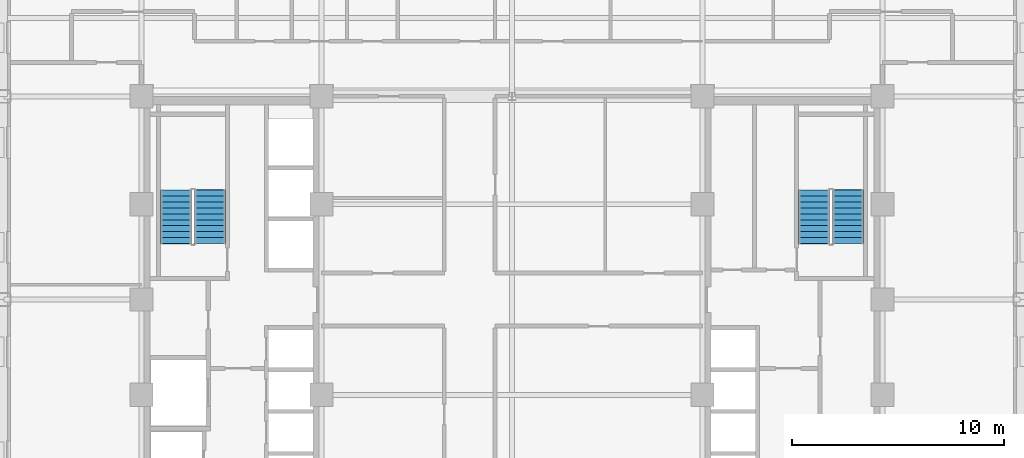
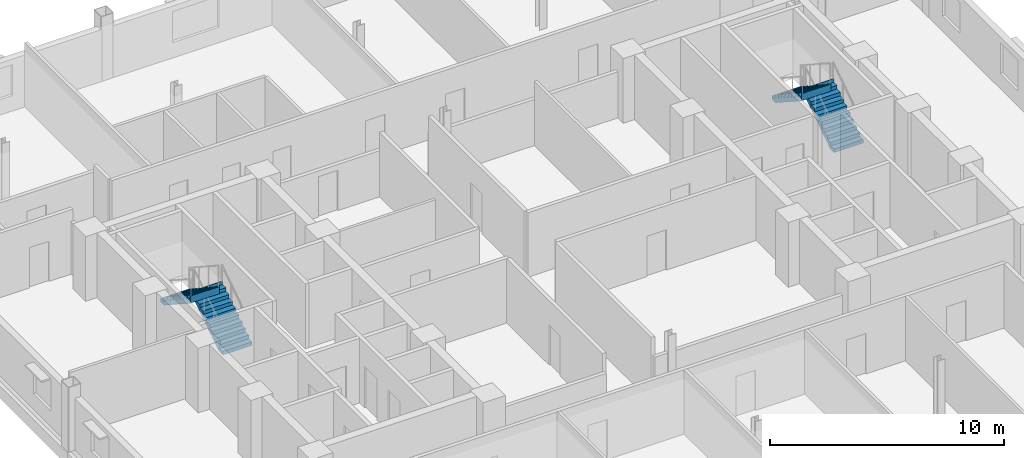
# One storey, part 10 of 14: 4 stair flights, 2 elements without a shape of their own.
"""IFC4 building model written with IfcOpenShell, lengths in metres."""

import ifcopenshell
import ifcopenshell.guid

model = None  # the IFC model being written
_history = None  # IfcOwnerHistory: only IFC2X3 demands one
_inside = {}  # id of a spatial element -> (the spatial element, [elements in it])
_under = {}  # id of a project, library or spatial element -> (it, [spatial elements below it])
_declared = {}  # id of a project -> (the project, [libraries it declares])
_typed = {}  # id of a type object -> (the type object, [elements of that type])
_made_of = {}  # id of a material, layer set ... -> (it, [elements and type objects made of it])


def new_model(schema):
    """Start an empty IFC model of exactly this schema.

    Asked for "IFC4X3", IfcOpenShell would pick the latest addendum, in which some entities
    have other attributes; the version numbers below select the first issue.
    IFC2X3 requires an IfcOwnerHistory on every rooted entity: one is made here for all.
    """
    global model, _history
    if schema == "IFC4X3":
        model = ifcopenshell.file(schema_version=(4, 3, 0, 0))
    else:
        model = ifcopenshell.file(schema=schema)
    _inside.clear()
    _under.clear()
    _declared.clear()
    _typed.clear()
    _made_of.clear()
    _history = None
    if model.schema == "IFC2X3":
        org = make("IfcOrganization", Name="unknown")
        user = make(
            "IfcPersonAndOrganization",
            ThePerson=make("IfcPerson", FamilyName="unknown"),
            TheOrganization=org,
        )
        app = make(
            "IfcApplication",
            ApplicationDeveloper=org,
            Version="unknown",
            ApplicationFullName="unknown",
            ApplicationIdentifier="unknown",
        )
        _history = make(
            "IfcOwnerHistory",
            OwningUser=user,
            OwningApplication=app,
            ChangeAction="ADDED",
            CreationDate=0,
        )
    return model


def make(cls, **values):
    """One entity of the class cls with the attributes given. An attribute that is None is left unset."""
    return model.create_entity(
        cls, **{name: value for name, value in values.items() if value is not None}
    )


def rooted(cls, **values):
    """An entity with a GlobalId (a new one), such as an element, a storey or a relation."""
    return make(cls, GlobalId=ifcopenshell.guid.new(), OwnerHistory=_history, **values)


def si_unit(unit_type, name, prefix=None):
    """IfcSIUnit, for example si_unit("LENGTHUNIT", "METRE", prefix="MILLI")."""
    return make("IfcSIUnit", UnitType=unit_type, Prefix=prefix, Name=name)


def assignment(units):
    """IfcUnitAssignment: the units of a project."""
    return None if units is None else make("IfcUnitAssignment", Units=units)


def point(xyz):
    """IfcCartesianPoint."""
    return None if xyz is None else make("IfcCartesianPoint", Coordinates=xyz)


def direction(xyz):
    """IfcDirection."""
    return None if xyz is None else make("IfcDirection", DirectionRatios=xyz)


def frame(location, z_axis=None, x_axis=None):
    """IfcAxis2Placement3D, a coordinate frame: its origin and axes. An axis left out is left unset."""
    return make(
        "IfcAxis2Placement3D",
        Location=point(location),
        Axis=direction(z_axis),
        RefDirection=direction(x_axis),
    )


def origin():
    """The frame at (0, 0, 0) with its axes left unset."""
    return frame((0.0, 0.0, 0.0))


def place(relative_to, where):
    """IfcLocalPlacement: puts the frame where relative to a parent placement (None: the world)."""
    return make(
        "IfcLocalPlacement", PlacementRelTo=relative_to, RelativePlacement=where
    )


def context(
    kind, dimensions, precision=None, world=None, true_north=None, identifier=None
):
    """IfcGeometricRepresentationContext, for example the 3D "Model" context."""
    return make(
        "IfcGeometricRepresentationContext",
        ContextIdentifier=identifier,
        ContextType=kind,
        CoordinateSpaceDimension=dimensions,
        Precision=precision,
        WorldCoordinateSystem=world,
        TrueNorth=true_north,
    )


def subcontext(parent, identifier, kind, view, scale=None):
    """IfcGeometricRepresentationSubContext, for example "Body" below "Model"."""
    return make(
        "IfcGeometricRepresentationSubContext",
        ContextIdentifier=identifier,
        ContextType=kind,
        ParentContext=parent,
        TargetScale=scale,
        TargetView=view,
    )


def project(units=None, contexts=None):
    """IfcProject with its units and contexts."""
    return rooted(
        "IfcProject",
        Name="project",
        RepresentationContexts=contexts,
        UnitsInContext=assignment(units),
    )


def spatial(cls, under=None, at=None, **own):
    """A site, building, storey or space (cls), placed at a placement, below another one or the project."""
    s = rooted(cls, ObjectPlacement=at, **own)
    if under is not None:
        _under.setdefault(under.id(), (under, []))[1].append(s)
    return s


def polyline(points):
    """IfcPolyline through the points."""
    return make("IfcPolyline", Points=[point(p) for p in points])


def outline(outer, holes=None, kind="AREA"):
    """IfcArbitraryClosedProfileDef: a profile drawn as a closed curve; with holes, ...WithVoids."""
    if holes is None:
        return make("IfcArbitraryClosedProfileDef", ProfileType=kind, OuterCurve=outer)
    return make(
        "IfcArbitraryProfileDefWithVoids",
        ProfileType=kind,
        OuterCurve=outer,
        InnerCurves=holes,
    )


def extrude(swept, where, along, depth):
    """IfcExtrudedAreaSolid: the profile swept, set in the frame where, extruded along a direction by depth."""
    return make(
        "IfcExtrudedAreaSolid",
        SweptArea=swept,
        Position=where,
        ExtrudedDirection=direction(along),
        Depth=depth,
    )


def shape(context_of_items, identifier, shape_type, items):
    """IfcShapeRepresentation: the items that make up one representation, for example the "Body"."""
    return make(
        "IfcShapeRepresentation",
        ContextOfItems=context_of_items,
        RepresentationIdentifier=identifier,
        RepresentationType=shape_type,
        Items=items,
    )


def material(Name=None, Category=None):
    """IfcMaterial."""
    return make("IfcMaterial", Name=Name, Category=Category)


def made_of(thing, what):
    """Note that an element or type object is made of a material, layer set ...; save() writes the relation."""
    if what is not None:
        _made_of.setdefault(what.id(), (what, []))[1].append(thing)
    return thing


def type_object(cls, material=None, **own):
    """A type object (cls), such as IfcWallType, which elements share."""
    return made_of(rooted(cls, **own), material)


def element(
    cls,
    number,
    at=None,
    inside=None,
    cuts=None,
    type_object=None,
    material=None,
    context=None,
    identifier="Body",
    shape_type=None,
    held_by="IfcProductDefinitionShape",
    body=None,
    shapes=None,
    **own,
):
    """One element of the class cls, such as IfcWall. Its Tag is "e" and its number.

    at: its placement. inside: the storey or other place that contains it. cuts: it is an
    opening in that element (IfcRelVoidsElement). A single representation is given by context,
    identifier, shape_type and body (its items); several are given by shapes. held_by: the class
    of the entity that holds the representations. save() writes the other relations.
    """
    e = rooted(cls, Tag="e%d" % number, ObjectPlacement=at, **own)
    if body is not None:
        shapes = [shape(context, identifier, shape_type, body)]
    if shapes is not None:
        e.Representation = make(held_by, Representations=shapes)
    if inside is not None:
        _inside.setdefault(inside.id(), (inside, []))[1].append(e)
    if cuts is not None:
        rooted(
            "IfcRelVoidsElement", RelatingBuildingElement=cuts, RelatedOpeningElement=e
        )
    if type_object is not None:
        _typed.setdefault(type_object.id(), (type_object, []))[1].append(e)
    return made_of(e, material)


def aggregate(whole, parts):
    """IfcRelAggregates: a whole, such as a stair, and the parts it consists of."""
    return rooted("IfcRelAggregates", RelatingObject=whole, RelatedObjects=parts)


def save(model, path):
    """Write the relations noted so far, then the file.

    IfcRelAggregates (storeys below a building ...), IfcRelContainedInSpatialStructure (elements
    in a storey), IfcRelDefinesByType, IfcRelAssociatesMaterial and IfcRelDeclares: one each for
    every whole, place, type object, material and project.
    """
    for whole, parts in _under.values():
        aggregate(whole, parts)
    for where, things in _inside.values():
        rooted(
            "IfcRelContainedInSpatialStructure",
            RelatedElements=things,
            RelatingStructure=where,
        )
    for kind, things in _typed.values():
        rooted("IfcRelDefinesByType", RelatedObjects=things, RelatingType=kind)
    for what, things in _made_of.values():
        rooted("IfcRelAssociatesMaterial", RelatedObjects=things, RelatingMaterial=what)
    for by, libraries in _declared.values():
        rooted("IfcRelDeclares", RelatingContext=by, RelatedDefinitions=libraries)
    model.write(path)


model = new_model("IFC4")

# Units and contexts
model_context = context("Model", 3, precision=1e-05, world=origin(), true_north=direction((0.0, 1.0)))
body_context = subcontext(model_context, "Body", "Model", "MODEL_VIEW")
ifc_project = project(units=[si_unit("LENGTHUNIT", "METRE"), si_unit("AREAUNIT", "SQUARE_METRE"), si_unit("VOLUMEUNIT", "CUBIC_METRE"), si_unit("PLANEANGLEUNIT", "RADIAN"), si_unit("MASSUNIT", "GRAM", prefix="KILO")], contexts=[model_context])

# Site, building, storey
site_placement = place(None, origin())
site = spatial("IfcSite", under=ifc_project, at=site_placement, CompositionType="ELEMENT")
building_placement = place(site_placement, origin())
building = spatial("IfcBuilding", under=site, at=building_placement, Name="Nuvemarco Arch Tower", CompositionType="ELEMENT")
storey_placement = place(building_placement, frame((0.0, 0.0, 98.300048828125)))
storey = spatial("IfcBuildingStorey", under=building, at=storey_placement, Name="L25", CompositionType="ELEMENT", Elevation=98.300048828125)

# Stair, stair flights
ifc_material = material(Name="Precast concrete C45/55", Category="concrete")
stair_type = type_object("IfcStairType", Name="ST-CORE-20R", PredefinedType="HALF_TURN_STAIR", material=ifc_material)
stair_1_placement = place(storey_placement, origin())
stair_1 = element("IfcStair", 1, at=stair_1_placement, inside=storey, type_object=stair_type, Name="L25 Protected Exit Stair ST-1", PredefinedType="HALF_TURN_STAIR")
stair_flight_type = type_object("IfcStairFlightType", Name="SF-CORE-20R", PredefinedType="STRAIGHT", material=ifc_material)
stair_flight_1_placement = place(storey_placement, frame((-14.264892578125, 2.64990234375, 0.0), z_axis=(0.0, 0.0, 1.0), x_axis=(0.0, 1.0, 0.0)))
stair_flight_1 = element("IfcStairFlight", 2, at=stair_flight_1_placement, type_object=stair_flight_type, Name="ST-20R flight 1", NumberOfRisers=10, NumberOfTreads=9, PredefinedType="STRAIGHT", RiserHeight=0.1825, TreadLength=0.28, context=body_context, shape_type="SweptSolid", body=[
    extrude(outline(polyline([(0.0, 0.0), (0.0, 0.1826171875), (0.280029296875, 0.1826171875), (0.280029296875, 0.364990234375), (0.56005859375, 0.364990234375), (0.56005859375, 0.547607421875), (0.840087890625, 0.547607421875), (0.840087890625, 0.72998046875), (1.1201171875, 0.72998046875), (1.1201171875, 0.91259765625), (1.39990234375, 0.91259765625), (1.39990234375, 1.094970703125), (1.679931640625, 1.094970703125), (1.679931640625, 1.277587890625), (1.9599609375, 1.277587890625), (1.9599609375, 1.4599609375), (2.239990234375, 1.4599609375), (2.239990234375, 1.642578125), (2.52001953125, 1.642578125), (2.52001953125, 1.824951171875), (2.5400390625, 1.824951171875), (2.5400390625, 1.45166015625), (0.312744140625, 0.0), (0.0, 0.0)])), frame((0.0, 0.72509765625, 0.0), z_axis=(0.0, -1.0, 0.0), x_axis=(1.0, 0.0, 0.0)), (0.0, 0.0, 1.0), 1.449951171875),
])
stair_flight_2_placement = place(storey_placement, frame((-15.875, 5.169921875, 1.824951171875), z_axis=(0.0, 0.0, 1.0), x_axis=(0.0, -1.0, 0.0)))
stair_flight_2 = element("IfcStairFlight", 3, at=stair_flight_2_placement, type_object=stair_flight_type, Name="ST-20R flight 2", NumberOfRisers=10, NumberOfTreads=9, PredefinedType="STRAIGHT", RiserHeight=0.1825, TreadLength=0.28, context=body_context, shape_type="SweptSolid", body=[
    extrude(outline(polyline([(0.0, 0.0), (0.0, 0.1826171875), (0.280029296875, 0.1826171875), (0.280029296875, 0.364990234375), (0.56005859375, 0.364990234375), (0.56005859375, 0.547607421875), (0.840087890625, 0.547607421875), (0.840087890625, 0.72998046875), (1.1201171875, 0.72998046875), (1.1201171875, 0.91259765625), (1.39990234375, 0.91259765625), (1.39990234375, 1.094970703125), (1.679931640625, 1.094970703125), (1.679931640625, 1.277587890625), (1.9599609375, 1.277587890625), (1.9599609375, 1.4599609375), (2.239990234375, 1.4599609375), (2.239990234375, 1.642578125), (2.52001953125, 1.642578125), (2.52001953125, 1.824951171875), (2.5400390625, 1.824951171875), (2.5400390625, 1.45166015625), (0.312744140625, 0.0), (0.0, 0.0)])), frame((0.0, 0.72509765625, 0.0), z_axis=(0.0, -1.0, 0.0), x_axis=(1.0, 0.0, 0.0)), (0.0, 0.0, 1.0), 1.449951171875),
])
aggregate(stair_1, [stair_flight_1, stair_flight_2])

stair_2_placement = place(storey_placement, origin())
stair_2 = element("IfcStair", 4, at=stair_2_placement, inside=storey, type_object=stair_type, Name="L25 Protected Exit Stair ST-2", PredefinedType="HALF_TURN_STAIR")
stair_flight_3_placement = place(storey_placement, frame((15.875, 2.64990234375, 0.0), z_axis=(0.0, 0.0, 1.0), x_axis=(0.0, 1.0, 0.0)))
stair_flight_3 = element("IfcStairFlight", 5, at=stair_flight_3_placement, type_object=stair_flight_type, Name="ST-20R flight 1", NumberOfRisers=10, NumberOfTreads=9, PredefinedType="STRAIGHT", RiserHeight=0.1825, TreadLength=0.28, context=body_context, shape_type="SweptSolid", body=[
    extrude(outline(polyline([(0.0, 0.0), (0.0, 0.1826171875), (0.280029296875, 0.1826171875), (0.280029296875, 0.364990234375), (0.56005859375, 0.364990234375), (0.56005859375, 0.547607421875), (0.840087890625, 0.547607421875), (0.840087890625, 0.72998046875), (1.1201171875, 0.72998046875), (1.1201171875, 0.91259765625), (1.39990234375, 0.91259765625), (1.39990234375, 1.094970703125), (1.679931640625, 1.094970703125), (1.679931640625, 1.277587890625), (1.9599609375, 1.277587890625), (1.9599609375, 1.4599609375), (2.239990234375, 1.4599609375), (2.239990234375, 1.642578125), (2.52001953125, 1.642578125), (2.52001953125, 1.824951171875), (2.5400390625, 1.824951171875), (2.5400390625, 1.45166015625), (0.312744140625, 0.0), (0.0, 0.0)])), frame((0.0, 0.72509765625, 0.0), z_axis=(0.0, -1.0, 0.0), x_axis=(1.0, 0.0, 0.0)), (0.0, 0.0, 1.0), 1.449951171875),
])
stair_flight_4_placement = place(storey_placement, frame((14.264892578125, 5.169921875, 1.824951171875), z_axis=(0.0, 0.0, 1.0), x_axis=(0.0, -1.0, 0.0)))
stair_flight_4 = element("IfcStairFlight", 6, at=stair_flight_4_placement, type_object=stair_flight_type, Name="ST-20R flight 2", NumberOfRisers=10, NumberOfTreads=9, PredefinedType="STRAIGHT", RiserHeight=0.1825, TreadLength=0.28, context=body_context, shape_type="SweptSolid", body=[
    extrude(outline(polyline([(0.0, 0.0), (0.0, 0.1826171875), (0.280029296875, 0.1826171875), (0.280029296875, 0.364990234375), (0.56005859375, 0.364990234375), (0.56005859375, 0.547607421875), (0.840087890625, 0.547607421875), (0.840087890625, 0.72998046875), (1.1201171875, 0.72998046875), (1.1201171875, 0.91259765625), (1.39990234375, 0.91259765625), (1.39990234375, 1.094970703125), (1.679931640625, 1.094970703125), (1.679931640625, 1.277587890625), (1.9599609375, 1.277587890625), (1.9599609375, 1.4599609375), (2.239990234375, 1.4599609375), (2.239990234375, 1.642578125), (2.52001953125, 1.642578125), (2.52001953125, 1.824951171875), (2.5400390625, 1.824951171875), (2.5400390625, 1.45166015625), (0.312744140625, 0.0), (0.0, 0.0)])), frame((0.0, 0.72509765625, 0.0), z_axis=(0.0, -1.0, 0.0), x_axis=(1.0, 0.0, 0.0)), (0.0, 0.0, 1.0), 1.449951171875),
])
aggregate(stair_2, [stair_flight_3, stair_flight_4])

save(model, "model.ifc")
